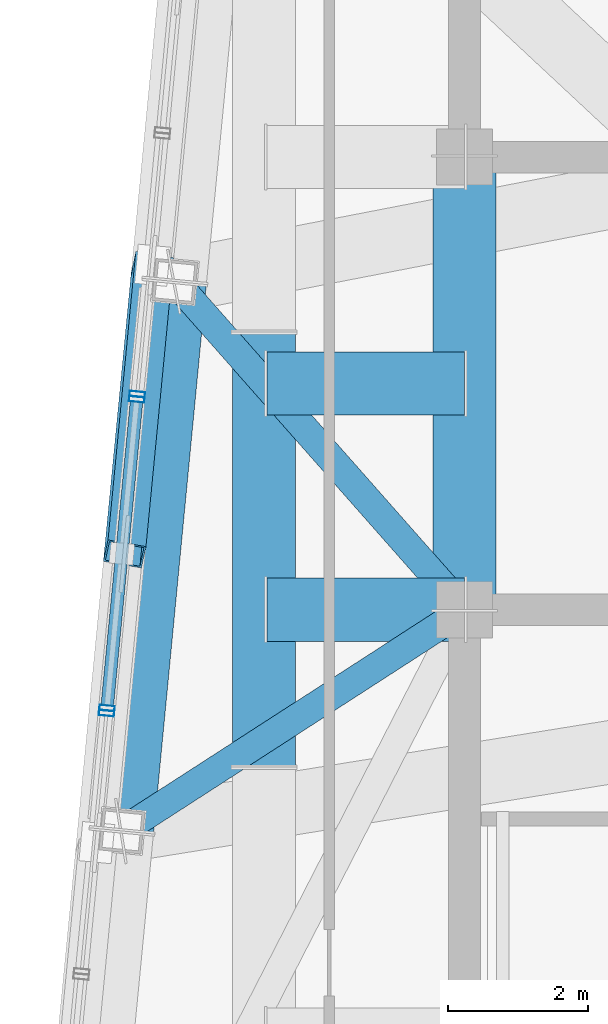
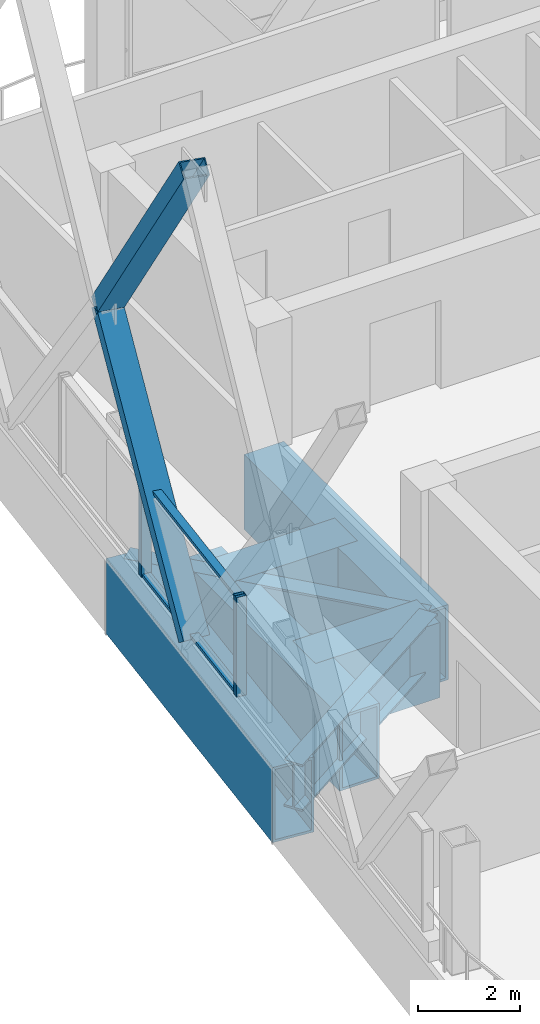
# One storey, part 12 of 31: 8 members, 7 beams, 3 elements without a shape of their own.
"""IFC4 building model written with IfcOpenShell, lengths in metres."""

import ifcopenshell
import ifcopenshell.guid

model = None  # the IFC model being written
_history = None  # IfcOwnerHistory: only IFC2X3 demands one
_inside = {}  # id of a spatial element -> (the spatial element, [elements in it])
_under = {}  # id of a project, library or spatial element -> (it, [spatial elements below it])
_declared = {}  # id of a project -> (the project, [libraries it declares])
_typed = {}  # id of a type object -> (the type object, [elements of that type])
_made_of = {}  # id of a material, layer set ... -> (it, [elements and type objects made of it])


def new_model(schema):
    """Start an empty IFC model of exactly this schema.

    Asked for "IFC4X3", IfcOpenShell would pick the latest addendum, in which some entities
    have other attributes; the version numbers below select the first issue.
    IFC2X3 requires an IfcOwnerHistory on every rooted entity: one is made here for all.
    """
    global model, _history
    if schema == "IFC4X3":
        model = ifcopenshell.file(schema_version=(4, 3, 0, 0))
    else:
        model = ifcopenshell.file(schema=schema)
    _inside.clear()
    _under.clear()
    _declared.clear()
    _typed.clear()
    _made_of.clear()
    _history = None
    if model.schema == "IFC2X3":
        org = make("IfcOrganization", Name="unknown")
        user = make(
            "IfcPersonAndOrganization",
            ThePerson=make("IfcPerson", FamilyName="unknown"),
            TheOrganization=org,
        )
        app = make(
            "IfcApplication",
            ApplicationDeveloper=org,
            Version="unknown",
            ApplicationFullName="unknown",
            ApplicationIdentifier="unknown",
        )
        _history = make(
            "IfcOwnerHistory",
            OwningUser=user,
            OwningApplication=app,
            ChangeAction="ADDED",
            CreationDate=0,
        )
    return model


def make(cls, **values):
    """One entity of the class cls with the attributes given. An attribute that is None is left unset."""
    return model.create_entity(
        cls, **{name: value for name, value in values.items() if value is not None}
    )


def rooted(cls, **values):
    """An entity with a GlobalId (a new one), such as an element, a storey or a relation."""
    return make(cls, GlobalId=ifcopenshell.guid.new(), OwnerHistory=_history, **values)


def si_unit(unit_type, name, prefix=None):
    """IfcSIUnit, for example si_unit("LENGTHUNIT", "METRE", prefix="MILLI")."""
    return make("IfcSIUnit", UnitType=unit_type, Prefix=prefix, Name=name)


def assignment(units):
    """IfcUnitAssignment: the units of a project."""
    return None if units is None else make("IfcUnitAssignment", Units=units)


def point(xyz):
    """IfcCartesianPoint."""
    return None if xyz is None else make("IfcCartesianPoint", Coordinates=xyz)


def direction(xyz):
    """IfcDirection."""
    return None if xyz is None else make("IfcDirection", DirectionRatios=xyz)


def frame(location, z_axis=None, x_axis=None):
    """IfcAxis2Placement3D, a coordinate frame: its origin and axes. An axis left out is left unset."""
    return make(
        "IfcAxis2Placement3D",
        Location=point(location),
        Axis=direction(z_axis),
        RefDirection=direction(x_axis),
    )


def frame_2d(location, x_axis=None):
    """IfcAxis2Placement2D, a coordinate frame in the plane: its origin and x axis."""
    return make(
        "IfcAxis2Placement2D", Location=point(location), RefDirection=direction(x_axis)
    )


def origin():
    """The frame at (0, 0, 0) with its axes left unset."""
    return frame((0.0, 0.0, 0.0))


def origin_2d():
    """The frame at (0, 0) in the plane with its x axis left unset."""
    return frame_2d((0.0, 0.0))


def place(relative_to, where):
    """IfcLocalPlacement: puts the frame where relative to a parent placement (None: the world)."""
    return make(
        "IfcLocalPlacement", PlacementRelTo=relative_to, RelativePlacement=where
    )


def context(
    kind, dimensions, precision=None, world=None, true_north=None, identifier=None
):
    """IfcGeometricRepresentationContext, for example the 3D "Model" context."""
    return make(
        "IfcGeometricRepresentationContext",
        ContextIdentifier=identifier,
        ContextType=kind,
        CoordinateSpaceDimension=dimensions,
        Precision=precision,
        WorldCoordinateSystem=world,
        TrueNorth=true_north,
    )


def subcontext(parent, identifier, kind, view, scale=None):
    """IfcGeometricRepresentationSubContext, for example "Body" below "Model"."""
    return make(
        "IfcGeometricRepresentationSubContext",
        ContextIdentifier=identifier,
        ContextType=kind,
        ParentContext=parent,
        TargetScale=scale,
        TargetView=view,
    )


def project(units=None, contexts=None):
    """IfcProject with its units and contexts."""
    return rooted(
        "IfcProject",
        Name="project",
        RepresentationContexts=contexts,
        UnitsInContext=assignment(units),
    )


def spatial(cls, under=None, at=None, **own):
    """A site, building, storey or space (cls), placed at a placement, below another one or the project."""
    s = rooted(cls, ObjectPlacement=at, **own)
    if under is not None:
        _under.setdefault(under.id(), (under, []))[1].append(s)
    return s


def profile(cls, at=None, kind="AREA", **sizes):
    """A parametric profile (cls). Its sizes go by their IFC names, for example OverallWidth=200.0."""
    return make(cls, ProfileType=kind, Position=at, **sizes)


def hollow_rectangle(**sizes):
    """IfcRectangleHollowProfileDef."""
    return profile("IfcRectangleHollowProfileDef", **sizes)


def i_section(**sizes):
    """IfcIShapeProfileDef."""
    return profile("IfcIShapeProfileDef", **sizes)


def extrude(swept, where, along, depth):
    """IfcExtrudedAreaSolid: the profile swept, set in the frame where, extruded along a direction by depth."""
    return make(
        "IfcExtrudedAreaSolid",
        SweptArea=swept,
        Position=where,
        ExtrudedDirection=direction(along),
        Depth=depth,
    )


def shape(context_of_items, identifier, shape_type, items):
    """IfcShapeRepresentation: the items that make up one representation, for example the "Body"."""
    return make(
        "IfcShapeRepresentation",
        ContextOfItems=context_of_items,
        RepresentationIdentifier=identifier,
        RepresentationType=shape_type,
        Items=items,
    )


def material(Name=None, Category=None):
    """IfcMaterial."""
    return make("IfcMaterial", Name=Name, Category=Category)


def layer(
    of_material, thickness, ventilated=None, Name=None, Category=None, Priority=None
):
    """IfcMaterialLayer: one layer of a wall or slab, of a material (None: an air gap)."""
    return make(
        "IfcMaterialLayer",
        Material=of_material,
        LayerThickness=thickness,
        IsVentilated=ventilated,
        Name=Name,
        Category=Category,
        Priority=Priority,
    )


def layer_set(layers, Name=None):
    """IfcMaterialLayerSet."""
    return make("IfcMaterialLayerSet", MaterialLayers=layers, LayerSetName=Name)


def material_profile(
    of_material, cross_section, Name=None, Category=None, Priority=None
):
    """IfcMaterialProfile: a cross section and its material."""
    return make(
        "IfcMaterialProfile",
        Name=Name,
        Material=of_material,
        Profile=cross_section,
        Priority=Priority,
        Category=Category,
    )


def profile_set(profiles, Name=None, composite=None):
    """IfcMaterialProfileSet."""
    return make(
        "IfcMaterialProfileSet",
        Name=Name,
        MaterialProfiles=profiles,
        CompositeProfile=composite,
    )


def made_of(thing, what):
    """Note that an element or type object is made of a material, layer set ...; save() writes the relation."""
    if what is not None:
        _made_of.setdefault(what.id(), (what, []))[1].append(thing)
    return thing


def type_object(cls, material=None, **own):
    """A type object (cls), such as IfcWallType, which elements share."""
    return made_of(rooted(cls, **own), material)


def element(
    cls,
    number,
    at=None,
    inside=None,
    cuts=None,
    type_object=None,
    material=None,
    context=None,
    identifier="Body",
    shape_type=None,
    held_by="IfcProductDefinitionShape",
    body=None,
    shapes=None,
    **own,
):
    """One element of the class cls, such as IfcWall. Its Tag is "e" and its number.

    at: its placement. inside: the storey or other place that contains it. cuts: it is an
    opening in that element (IfcRelVoidsElement). A single representation is given by context,
    identifier, shape_type and body (its items); several are given by shapes. held_by: the class
    of the entity that holds the representations. save() writes the other relations.
    """
    e = rooted(cls, Tag="e%d" % number, ObjectPlacement=at, **own)
    if body is not None:
        shapes = [shape(context, identifier, shape_type, body)]
    if shapes is not None:
        e.Representation = make(held_by, Representations=shapes)
    if inside is not None:
        _inside.setdefault(inside.id(), (inside, []))[1].append(e)
    if cuts is not None:
        rooted(
            "IfcRelVoidsElement", RelatingBuildingElement=cuts, RelatedOpeningElement=e
        )
    if type_object is not None:
        _typed.setdefault(type_object.id(), (type_object, []))[1].append(e)
    return made_of(e, material)


def aggregate(whole, parts):
    """IfcRelAggregates: a whole, such as a stair, and the parts it consists of."""
    return rooted("IfcRelAggregates", RelatingObject=whole, RelatedObjects=parts)


def save(model, path):
    """Write the relations noted so far, then the file.

    IfcRelAggregates (storeys below a building ...), IfcRelContainedInSpatialStructure (elements
    in a storey), IfcRelDefinesByType, IfcRelAssociatesMaterial and IfcRelDeclares: one each for
    every whole, place, type object, material and project.
    """
    for whole, parts in _under.values():
        aggregate(whole, parts)
    for where, things in _inside.values():
        rooted(
            "IfcRelContainedInSpatialStructure",
            RelatedElements=things,
            RelatingStructure=where,
        )
    for kind, things in _typed.values():
        rooted("IfcRelDefinesByType", RelatedObjects=things, RelatingType=kind)
    for what, things in _made_of.values():
        rooted("IfcRelAssociatesMaterial", RelatedObjects=things, RelatingMaterial=what)
    for by, libraries in _declared.values():
        rooted("IfcRelDeclares", RelatingContext=by, RelatedDefinitions=libraries)
    model.write(path)


model = new_model("IFC4")

# Units and contexts
model_context = context("Model", 3, precision=1e-05, world=origin(), true_north=direction((0.0, 1.0)))
body_context = subcontext(model_context, "Body", "Model", "MODEL_VIEW")
ifc_project = project(units=[si_unit("LENGTHUNIT", "METRE"), si_unit("AREAUNIT", "SQUARE_METRE"), si_unit("VOLUMEUNIT", "CUBIC_METRE"), si_unit("PLANEANGLEUNIT", "RADIAN"), si_unit("MASSUNIT", "GRAM", prefix="KILO")], contexts=[model_context])

# Site, building, storey
site_placement = place(None, origin())
site = spatial("IfcSite", under=ifc_project, at=site_placement, CompositionType="ELEMENT")
building_placement = place(site_placement, origin())
building = spatial("IfcBuilding", under=site, at=building_placement, Name="Qhalaya Broadcast Tower", CompositionType="ELEMENT")
storey_placement = place(building_placement, frame((0.0, 0.0, 242.85009765625)))
storey = spatial("IfcBuildingStorey", under=building, at=storey_placement, Name="L71", CompositionType="ELEMENT", Elevation=242.85009765625)

# Beams
ifc_material_1 = material(Name="Structural Steel ASTM A572 Grade 50", Category="steel")
ifc_material_profile_1 = material_profile(ifc_material_1, hollow_rectangle(XDim=0.89990234375, YDim=1.800048828125, WallThickness=0.06005859375, at=origin_2d()), Name="BOX 900x1800x60")
ifc_profile_set_1 = profile_set([ifc_material_profile_1], Name="Structural Steel ASTM A572 Grade 50")
beam_type_1 = type_object("IfcBeamType", Name="Block Cantilever Transfer Box Girder TG1", PredefinedType="USERDEFINED", material=ifc_profile_set_1)
beam_1_placement = place(storey_placement, frame((-13.50244140625, 2.052490234375, -1.090087890625), z_axis=(-0.095837184179, -0.995397023367, 0.0), x_axis=(0.995397023367, -0.095837184179, 0.0)))
element("IfcBeam", 1, at=beam_1_placement, inside=storey, type_object=beam_type_1, Name="L71 TG1 L71-SPR-14", ObjectType="GIRDER", PredefinedType="USERDEFINED", context=body_context, shape_type="SweptSolid", body=[
    extrude(hollow_rectangle(XDim=0.89990234375, YDim=1.800048828125, WallThickness=0.06005859375, at=origin_2d()), origin(), (0.0, 0.0, 1.0), 7.866455078125),
])
beam_2_placement = place(storey_placement, frame((-12.22998046875, 1.330078125, -1.090087890625), z_axis=(0.0, -1.0, 0.0), x_axis=(1.0, 0.0, 0.0)))
element("IfcBeam", 2, at=beam_2_placement, inside=storey, type_object=beam_type_1, Name="L71 TG1 L71-TGL-14", ObjectType="GIRDER", PredefinedType="USERDEFINED", context=body_context, shape_type="SweptSolid", body=[
    extrude(hollow_rectangle(XDim=0.89990234375, YDim=1.800048828125, WallThickness=0.06005859375, at=origin_2d()), origin(), (0.0, 0.0, 1.0), 6.2001953125),
])
beam_3_placement = place(storey_placement, frame((-12.18994140625, 0.60009765625, -1.090087890625), z_axis=(1.0, 0.0, 0.0), x_axis=(0.0, 1.0, 0.0)))
element("IfcBeam", 3, at=beam_3_placement, inside=storey, type_object=beam_type_1, Name="L71 TG1 L71-TGIYW-1", ObjectType="GIRDER", PredefinedType="USERDEFINED", context=body_context, shape_type="SweptSolid", body=[
    extrude(hollow_rectangle(XDim=0.89990234375, YDim=1.800048828125, WallThickness=0.06005859375, at=origin_2d()), origin(), (0.0, 0.0, 1.0), 2.81494140625),
])
beam_4_placement = place(storey_placement, frame((-9.375, -2.625, -1.090087890625), z_axis=(0.0, 1.0, 0.0), x_axis=(-1.0, 0.0, 0.0)))
element("IfcBeam", 4, at=beam_4_placement, inside=storey, type_object=beam_type_1, Name="L71 TG1 L71-TGIMW-1", ObjectType="GIRDER", PredefinedType="USERDEFINED", context=body_context, shape_type="SweptSolid", body=[
    extrude(hollow_rectangle(XDim=0.89990234375, YDim=1.800048828125, WallThickness=0.06005859375, at=origin_2d()), origin(), (0.0, 0.0, 1.0), 6.449951171875),
])
beam_5_placement = place(storey_placement, frame((-12.18994140625, -2.625, -1.090087890625), z_axis=(1.0, 0.0, 0.0), x_axis=(0.0, 1.0, 0.0)))
element("IfcBeam", 5, at=beam_5_placement, inside=storey, type_object=beam_type_1, Name="L71 TG1 L71-TGIY2W-1", ObjectType="GIRDER", PredefinedType="USERDEFINED", context=body_context, shape_type="SweptSolid", body=[
    extrude(hollow_rectangle(XDim=0.89990234375, YDim=1.800048828125, WallThickness=0.06005859375, at=origin_2d()), origin(), (0.0, 0.0, 1.0), 2.81494140625),
])

# Members
ifc_material_profile_2 = material_profile(ifc_material_1, hollow_rectangle(XDim=0.3798828125, YDim=0.550048828125, WallThickness=0.02490234375, at=origin_2d()), Name="BOX 380x550x25")
ifc_profile_set_2 = profile_set([ifc_material_profile_2], Name="Structural Steel ASTM A572 Grade 50")
member_type_1 = type_object("IfcMemberType", Name="Exoskeleton Diamond Diagonal Upper EX4", PredefinedType="BRACE", material=ifc_profile_set_2)
member_1_placement = place(storey_placement, frame((-14.218017578125, -1.830078125, 0.35986328125), z_axis=(0.058301925892, 0.605362942159, 0.793811434597), x_axis=(-0.171153078973, -0.777329359739, 0.60536409709)))
element("IfcMember", 6, at=member_1_placement, inside=storey, type_object=member_type_1, Name="B6 Exoskeleton Diamond Brace W2-D1", PredefinedType="BRACE", context=body_context, shape_type="SweptSolid", body=[
    extrude(hollow_rectangle(XDim=0.3798828125, YDim=0.550048828125, WallThickness=0.02490234375, at=origin_2d()), origin(), (0.0, 0.0, 1.0), 6.79638671875),
])
member_2_placement = place(storey_placement, frame((-13.82177734375, 2.2841796875, 5.7548828125), z_axis=(-0.055161336321, -0.572753444041, 0.817869622443), x_axis=(0.17344881055, 0.801166493771, 0.572754536758)))
element("IfcMember", 7, at=member_2_placement, inside=storey, type_object=member_type_1, Name="B6 Exoskeleton Diamond Brace W2-D3", PredefinedType="BRACE", context=body_context, shape_type="SweptSolid", body=[
    extrude(hollow_rectangle(XDim=0.3798828125, YDim=0.550048828125, WallThickness=0.02490234375, at=origin_2d()), origin(), (0.0, 0.0, 1.0), 7.183349609375),
])

# Beams
ifc_material_2 = material(Name="Structural Steel ASTM A992 Grade 50", Category="steel")
ifc_material_profile_3 = material_profile(ifc_material_2, i_section(OverallWidth=0.404052734375, OverallDepth=1.117919921875, WebThickness=0.026123046875, FlangeThickness=0.044921875, at=origin_2d()), Name="W44X335")
ifc_profile_set_3 = profile_set([ifc_material_profile_3], Name="Structural Steel ASTM A992 Grade 50")
beam_type_2 = type_object("IfcBeamType", Name="Podium Long-Span Primary Girder PG1", PredefinedType="USERDEFINED", material=ifc_profile_set_3)
beam_6_placement = place(storey_placement, frame((-9.375, -2.625, -0.7490234375), z_axis=(-0.661643641631, 0.749818439016, 0.0), x_axis=(-0.749818439016, -0.661643641631, 0.0)))
element("IfcBeam", 8, at=beam_6_placement, inside=storey, type_object=beam_type_2, Name="L71 Column-to-Column Moment Tie Girder 14-2", ObjectType="GIRDER", PredefinedType="USERDEFINED", context=body_context, shape_type="SweptSolid", body=[
    extrude(i_section(OverallWidth=0.404052734375, OverallDepth=1.117919921875, WebThickness=0.026123046875, FlangeThickness=0.044921875, at=origin_2d()), origin(), (0.0, 0.0, 1.0), 6.23828125),
])
beam_7_placement = place(storey_placement, frame((-9.375, -2.625, -0.7490234375), z_axis=(-0.840016240673, -0.542561254979, 0.0), x_axis=(0.542561254979, -0.840016240673, 0.0)))
element("IfcBeam", 9, at=beam_7_placement, inside=storey, type_object=beam_type_2, Name="L71 Column-to-Column Moment Tie Girder 15-1", ObjectType="GIRDER", PredefinedType="USERDEFINED", context=body_context, shape_type="SweptSolid", body=[
    extrude(i_section(OverallWidth=0.404052734375, OverallDepth=1.117919921875, WebThickness=0.026123046875, FlangeThickness=0.044921875, at=origin_2d()), origin(), (0.0, 0.0, 1.0), 5.81103515625),
])

# Curtain wall, member
ifc_material_3 = material(Name="Solar-Control Low-E Triple Glazing", Category="glass")
ifc_layer_1 = layer(ifc_material_3, 0.219970703125, Name="Solar-Control Low-E Triple Glazing")
ifc_layer_set_1 = layer_set([ifc_layer_1], Name="Solar-Control Low-E Triple Glazing")
curtain_wall_type_1 = type_object("IfcCurtainWallType", Name="High-Altitude Upper-Shaft Triple Low-E Curtain Wall CW-04", PredefinedType="NOTDEFINED", material=ifc_layer_set_1)
curtain_wall_1_placement = place(storey_placement, origin())
curtain_wall_1 = element("IfcCurtainWall", 10, at=curtain_wall_1_placement, inside=storey, type_object=curtain_wall_type_1, Name="L71 Unitised Curtain Wall L71-CW-W2", PredefinedType="NOTDEFINED")
ifc_material_4 = material(Name="Anodised Aluminium 6063-T6", Category="aluminium")
ifc_material_profile_4 = material_profile(ifc_material_4, hollow_rectangle(XDim=0.074951171875, YDim=0.219970703125, WallThickness=0.00390625, at=origin_2d()), Name="ALU-MUL 75x220x4")
ifc_profile_set_4 = profile_set([ifc_material_profile_4], Name="Anodised Aluminium 6063-T6")
member_type_2 = type_object("IfcMemberType", Name="Unitised Curtain-Wall Mullion M01", PredefinedType="MULLION", material=ifc_profile_set_4)
member_3_placement = place(storey_placement, frame((-14.038818359375, 0.44775390625, 0.47998046875), z_axis=(0.0, 0.0, 1.0), x_axis=(-0.095839673292, -0.995396783712, 0.0)))
member_3 = element("IfcMember", 11, at=member_3_placement, type_object=member_type_2, Name="CW-04 mullion 2", PredefinedType="MULLION", context=body_context, shape_type="SweptSolid", body=[
    extrude(hollow_rectangle(XDim=0.074951171875, YDim=0.219970703125, WallThickness=0.00390625, at=origin_2d()), origin(), (0.0, 0.0, 1.0), 2.3798828125),
])
aggregate(curtain_wall_1, [member_3])

# Curtain wall, members
ifc_material_5 = material(Name="Fired Architectural Terracotta", Category="masonry")
ifc_layer_2 = layer(ifc_material_5, 0.219970703125, Name="Fired Architectural Terracotta")
ifc_layer_set_2 = layer_set([ifc_layer_2], Name="Fired Architectural Terracotta")
curtain_wall_type_2 = type_object("IfcCurtainWallType", Name="Block-Cap Unitised Terracotta Spandrel Wall CW-07", PredefinedType="NOTDEFINED", material=ifc_layer_set_2)
curtain_wall_2_placement = place(storey_placement, origin())
curtain_wall_2 = element("IfcCurtainWall", 12, at=curtain_wall_2_placement, inside=storey, type_object=curtain_wall_type_2, Name="L71 Unitised Curtain Wall L71-CW-W3", PredefinedType="NOTDEFINED")
member_4_placement = place(storey_placement, frame((-14.0458984375, 0.373046875, 0.47998046875), z_axis=(0.0, 0.0, 1.0), x_axis=(-0.09586123001, -0.995394707933, 0.0)))
member_4 = element("IfcMember", 13, at=member_4_placement, type_object=member_type_2, Name="CW-07 mullion 1", PredefinedType="MULLION", context=body_context, shape_type="SweptSolid", body=[
    extrude(hollow_rectangle(XDim=0.074951171875, YDim=0.219970703125, WallThickness=0.00390625, at=origin_2d()), origin(), (0.0, 0.0, 1.0), 2.3798828125),
])
member_5_placement = place(storey_placement, frame((-14.469482421875, -4.025634765625, 0.47998046875), z_axis=(0.0, 0.0, 1.0), x_axis=(-0.09586123001, -0.995394707933, 0.0)))
member_5 = element("IfcMember", 14, at=member_5_placement, type_object=member_type_2, Name="CW-07 mullion 2", PredefinedType="MULLION", context=body_context, shape_type="SweptSolid", body=[
    extrude(hollow_rectangle(XDim=0.074951171875, YDim=0.219970703125, WallThickness=0.00390625, at=origin_2d()), origin(), (0.0, 0.0, 1.0), 2.3798828125),
])

# Curtain wall, member
curtain_wall_3_placement = place(storey_placement, origin())
curtain_wall_3 = element("IfcCurtainWall", 15, at=curtain_wall_3_placement, inside=storey, type_object=curtain_wall_type_1, Name="L71 Unitised Curtain Wall L71-CW-W4", PredefinedType="NOTDEFINED")
member_6_placement = place(storey_placement, frame((-14.476806640625, -4.100341796875, 0.47998046875), z_axis=(0.0, 0.0, 1.0), x_axis=(-0.095839673292, -0.995396783712, 0.0)))
member_6 = element("IfcMember", 16, at=member_6_placement, type_object=member_type_2, Name="CW-04 mullion 1", PredefinedType="MULLION", context=body_context, shape_type="SweptSolid", body=[
    extrude(hollow_rectangle(XDim=0.074951171875, YDim=0.219970703125, WallThickness=0.00390625, at=origin_2d()), origin(), (0.0, 0.0, 1.0), 2.3798828125),
])
aggregate(curtain_wall_3, [member_6])

# Member
ifc_material_profile_5 = material_profile(ifc_material_4, hollow_rectangle(XDim=0.074951171875, YDim=0.179931640625, WallThickness=0.00390625, at=origin_2d()), Name="ALU-TRN 75x180x4")
ifc_profile_set_5 = profile_set([ifc_material_profile_5], Name="Anodised Aluminium 6063-T6")
member_type_3 = type_object("IfcMemberType", Name="Unitised Curtain-Wall Transom T01", PredefinedType="USERDEFINED", material=ifc_profile_set_5)
member_7_placement = place(storey_placement, frame((-14.049560546875, 0.335693359375, 0.517333984375), z_axis=(-0.095824851741, -0.995398210662, 0.0), x_axis=(0.0, 0.0, 1.0)))
member_7 = element("IfcMember", 17, at=member_7_placement, type_object=member_type_3, Name="CW-07 transom 1.1", ObjectType="TRANSOM", PredefinedType="USERDEFINED", context=body_context, shape_type="SweptSolid", body=[
    extrude(hollow_rectangle(XDim=0.074951171875, YDim=0.179931640625, WallThickness=0.00390625, at=origin_2d()), origin(), (0.0, 0.0, 1.0), 4.343994140625),
])

member_8_placement = place(storey_placement, frame((-14.049560546875, 0.335693359375, 2.822509765625), z_axis=(-0.095824851741, -0.995398210662, 0.0), x_axis=(0.0, 0.0, 1.0)))
member_8 = element("IfcMember", 18, at=member_8_placement, type_object=member_type_3, Name="CW-07 transom 1.2", ObjectType="TRANSOM", PredefinedType="USERDEFINED", context=body_context, shape_type="SweptSolid", body=[
    extrude(hollow_rectangle(XDim=0.074951171875, YDim=0.179931640625, WallThickness=0.00390625, at=origin_2d()), origin(), (0.0, 0.0, 1.0), 4.343994140625),
])

aggregate(curtain_wall_2, [member_4, member_5, member_7, member_8])

save(model, "model.ifc")
